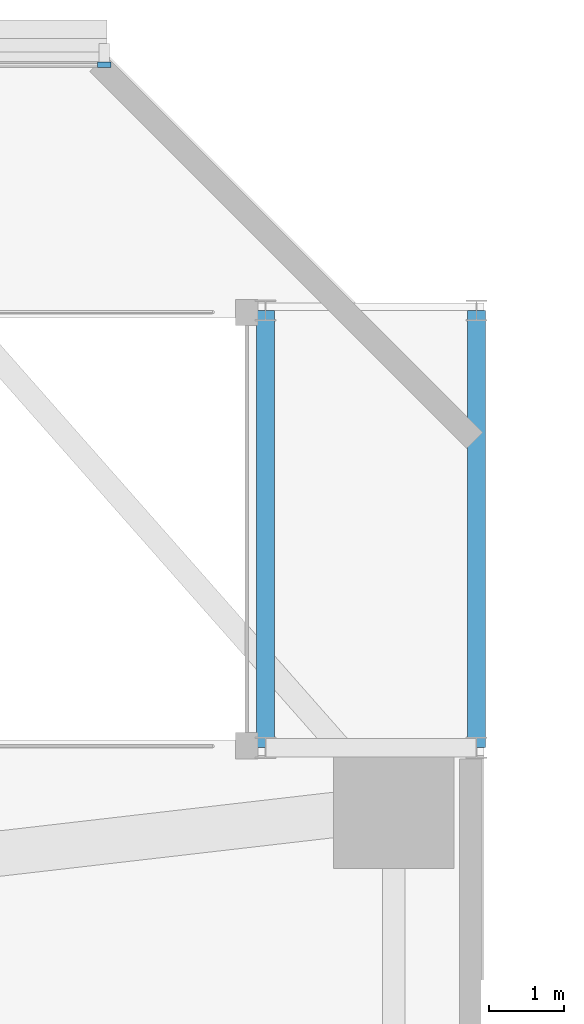
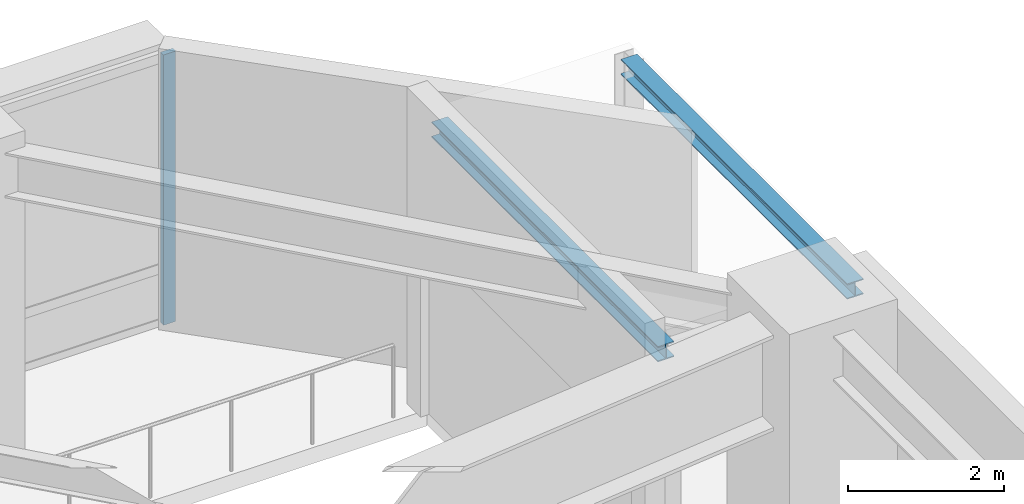
# One storey, part 14 of 30: 2 beams, 1 member, 1 element without a shape of its own.
"""IFC4 building model written with IfcOpenShell, lengths in metres."""

import ifcopenshell
import ifcopenshell.guid

model = None  # the IFC model being written
_history = None  # IfcOwnerHistory: only IFC2X3 demands one
_inside = {}  # id of a spatial element -> (the spatial element, [elements in it])
_under = {}  # id of a project, library or spatial element -> (it, [spatial elements below it])
_declared = {}  # id of a project -> (the project, [libraries it declares])
_typed = {}  # id of a type object -> (the type object, [elements of that type])
_made_of = {}  # id of a material, layer set ... -> (it, [elements and type objects made of it])


def new_model(schema):
    """Start an empty IFC model of exactly this schema.

    Asked for "IFC4X3", IfcOpenShell would pick the latest addendum, in which some entities
    have other attributes; the version numbers below select the first issue.
    IFC2X3 requires an IfcOwnerHistory on every rooted entity: one is made here for all.
    """
    global model, _history
    if schema == "IFC4X3":
        model = ifcopenshell.file(schema_version=(4, 3, 0, 0))
    else:
        model = ifcopenshell.file(schema=schema)
    _inside.clear()
    _under.clear()
    _declared.clear()
    _typed.clear()
    _made_of.clear()
    _history = None
    if model.schema == "IFC2X3":
        org = make("IfcOrganization", Name="unknown")
        user = make(
            "IfcPersonAndOrganization",
            ThePerson=make("IfcPerson", FamilyName="unknown"),
            TheOrganization=org,
        )
        app = make(
            "IfcApplication",
            ApplicationDeveloper=org,
            Version="unknown",
            ApplicationFullName="unknown",
            ApplicationIdentifier="unknown",
        )
        _history = make(
            "IfcOwnerHistory",
            OwningUser=user,
            OwningApplication=app,
            ChangeAction="ADDED",
            CreationDate=0,
        )
    return model


def make(cls, **values):
    """One entity of the class cls with the attributes given. An attribute that is None is left unset."""
    return model.create_entity(
        cls, **{name: value for name, value in values.items() if value is not None}
    )


def rooted(cls, **values):
    """An entity with a GlobalId (a new one), such as an element, a storey or a relation."""
    return make(cls, GlobalId=ifcopenshell.guid.new(), OwnerHistory=_history, **values)


def si_unit(unit_type, name, prefix=None):
    """IfcSIUnit, for example si_unit("LENGTHUNIT", "METRE", prefix="MILLI")."""
    return make("IfcSIUnit", UnitType=unit_type, Prefix=prefix, Name=name)


def assignment(units):
    """IfcUnitAssignment: the units of a project."""
    return None if units is None else make("IfcUnitAssignment", Units=units)


def point(xyz):
    """IfcCartesianPoint."""
    return None if xyz is None else make("IfcCartesianPoint", Coordinates=xyz)


def direction(xyz):
    """IfcDirection."""
    return None if xyz is None else make("IfcDirection", DirectionRatios=xyz)


def frame(location, z_axis=None, x_axis=None):
    """IfcAxis2Placement3D, a coordinate frame: its origin and axes. An axis left out is left unset."""
    return make(
        "IfcAxis2Placement3D",
        Location=point(location),
        Axis=direction(z_axis),
        RefDirection=direction(x_axis),
    )


def frame_2d(location, x_axis=None):
    """IfcAxis2Placement2D, a coordinate frame in the plane: its origin and x axis."""
    return make(
        "IfcAxis2Placement2D", Location=point(location), RefDirection=direction(x_axis)
    )


def origin():
    """The frame at (0, 0, 0) with its axes left unset."""
    return frame((0.0, 0.0, 0.0))


def origin_2d():
    """The frame at (0, 0) in the plane with its x axis left unset."""
    return frame_2d((0.0, 0.0))


def place(relative_to, where):
    """IfcLocalPlacement: puts the frame where relative to a parent placement (None: the world)."""
    return make(
        "IfcLocalPlacement", PlacementRelTo=relative_to, RelativePlacement=where
    )


def context(
    kind, dimensions, precision=None, world=None, true_north=None, identifier=None
):
    """IfcGeometricRepresentationContext, for example the 3D "Model" context."""
    return make(
        "IfcGeometricRepresentationContext",
        ContextIdentifier=identifier,
        ContextType=kind,
        CoordinateSpaceDimension=dimensions,
        Precision=precision,
        WorldCoordinateSystem=world,
        TrueNorth=true_north,
    )


def subcontext(parent, identifier, kind, view, scale=None):
    """IfcGeometricRepresentationSubContext, for example "Body" below "Model"."""
    return make(
        "IfcGeometricRepresentationSubContext",
        ContextIdentifier=identifier,
        ContextType=kind,
        ParentContext=parent,
        TargetScale=scale,
        TargetView=view,
    )


def project(units=None, contexts=None):
    """IfcProject with its units and contexts."""
    return rooted(
        "IfcProject",
        Name="project",
        RepresentationContexts=contexts,
        UnitsInContext=assignment(units),
    )


def spatial(cls, under=None, at=None, **own):
    """A site, building, storey or space (cls), placed at a placement, below another one or the project."""
    s = rooted(cls, ObjectPlacement=at, **own)
    if under is not None:
        _under.setdefault(under.id(), (under, []))[1].append(s)
    return s


def profile(cls, at=None, kind="AREA", **sizes):
    """A parametric profile (cls). Its sizes go by their IFC names, for example OverallWidth=200.0."""
    return make(cls, ProfileType=kind, Position=at, **sizes)


def rectangle(**sizes):
    """IfcRectangleProfileDef."""
    return profile("IfcRectangleProfileDef", **sizes)


def i_section(**sizes):
    """IfcIShapeProfileDef."""
    return profile("IfcIShapeProfileDef", **sizes)


def extrude(swept, where, along, depth):
    """IfcExtrudedAreaSolid: the profile swept, set in the frame where, extruded along a direction by depth."""
    return make(
        "IfcExtrudedAreaSolid",
        SweptArea=swept,
        Position=where,
        ExtrudedDirection=direction(along),
        Depth=depth,
    )


def shape(context_of_items, identifier, shape_type, items):
    """IfcShapeRepresentation: the items that make up one representation, for example the "Body"."""
    return make(
        "IfcShapeRepresentation",
        ContextOfItems=context_of_items,
        RepresentationIdentifier=identifier,
        RepresentationType=shape_type,
        Items=items,
    )


def material(Name=None, Category=None):
    """IfcMaterial."""
    return make("IfcMaterial", Name=Name, Category=Category)


def layer(
    of_material, thickness, ventilated=None, Name=None, Category=None, Priority=None
):
    """IfcMaterialLayer: one layer of a wall or slab, of a material (None: an air gap)."""
    return make(
        "IfcMaterialLayer",
        Material=of_material,
        LayerThickness=thickness,
        IsVentilated=ventilated,
        Name=Name,
        Category=Category,
        Priority=Priority,
    )


def layer_set(layers, Name=None):
    """IfcMaterialLayerSet."""
    return make("IfcMaterialLayerSet", MaterialLayers=layers, LayerSetName=Name)


def material_profile(
    of_material, cross_section, Name=None, Category=None, Priority=None
):
    """IfcMaterialProfile: a cross section and its material."""
    return make(
        "IfcMaterialProfile",
        Name=Name,
        Material=of_material,
        Profile=cross_section,
        Priority=Priority,
        Category=Category,
    )


def profile_set(profiles, Name=None, composite=None):
    """IfcMaterialProfileSet."""
    return make(
        "IfcMaterialProfileSet",
        Name=Name,
        MaterialProfiles=profiles,
        CompositeProfile=composite,
    )


def made_of(thing, what):
    """Note that an element or type object is made of a material, layer set ...; save() writes the relation."""
    if what is not None:
        _made_of.setdefault(what.id(), (what, []))[1].append(thing)
    return thing


def type_object(cls, material=None, **own):
    """A type object (cls), such as IfcWallType, which elements share."""
    return made_of(rooted(cls, **own), material)


def element(
    cls,
    number,
    at=None,
    inside=None,
    cuts=None,
    type_object=None,
    material=None,
    context=None,
    identifier="Body",
    shape_type=None,
    held_by="IfcProductDefinitionShape",
    body=None,
    shapes=None,
    **own,
):
    """One element of the class cls, such as IfcWall. Its Tag is "e" and its number.

    at: its placement. inside: the storey or other place that contains it. cuts: it is an
    opening in that element (IfcRelVoidsElement). A single representation is given by context,
    identifier, shape_type and body (its items); several are given by shapes. held_by: the class
    of the entity that holds the representations. save() writes the other relations.
    """
    e = rooted(cls, Tag="e%d" % number, ObjectPlacement=at, **own)
    if body is not None:
        shapes = [shape(context, identifier, shape_type, body)]
    if shapes is not None:
        e.Representation = make(held_by, Representations=shapes)
    if inside is not None:
        _inside.setdefault(inside.id(), (inside, []))[1].append(e)
    if cuts is not None:
        rooted(
            "IfcRelVoidsElement", RelatingBuildingElement=cuts, RelatedOpeningElement=e
        )
    if type_object is not None:
        _typed.setdefault(type_object.id(), (type_object, []))[1].append(e)
    return made_of(e, material)


def aggregate(whole, parts):
    """IfcRelAggregates: a whole, such as a stair, and the parts it consists of."""
    return rooted("IfcRelAggregates", RelatingObject=whole, RelatedObjects=parts)


def save(model, path):
    """Write the relations noted so far, then the file.

    IfcRelAggregates (storeys below a building ...), IfcRelContainedInSpatialStructure (elements
    in a storey), IfcRelDefinesByType, IfcRelAssociatesMaterial and IfcRelDeclares: one each for
    every whole, place, type object, material and project.
    """
    for whole, parts in _under.values():
        aggregate(whole, parts)
    for where, things in _inside.values():
        rooted(
            "IfcRelContainedInSpatialStructure",
            RelatedElements=things,
            RelatingStructure=where,
        )
    for kind, things in _typed.values():
        rooted("IfcRelDefinesByType", RelatedObjects=things, RelatingType=kind)
    for what, things in _made_of.values():
        rooted("IfcRelAssociatesMaterial", RelatedObjects=things, RelatingMaterial=what)
    for by, libraries in _declared.values():
        rooted("IfcRelDeclares", RelatingContext=by, RelatedDefinitions=libraries)
    model.write(path)


model = new_model("IFC4")

# Units and contexts
model_context = context("Model", 3, precision=1e-05, world=origin(), true_north=direction((0.0, 1.0)))
body_context = subcontext(model_context, "Body", "Model", "MODEL_VIEW")
ifc_project = project(units=[si_unit("LENGTHUNIT", "METRE"), si_unit("AREAUNIT", "SQUARE_METRE"), si_unit("VOLUMEUNIT", "CUBIC_METRE"), si_unit("PLANEANGLEUNIT", "RADIAN"), si_unit("MASSUNIT", "GRAM", prefix="KILO")], contexts=[model_context])

# Site, building, storey
site_placement = place(None, origin())
site = spatial("IfcSite", under=ifc_project, at=site_placement, CompositionType="ELEMENT")
building_placement = place(site_placement, origin())
building = spatial("IfcBuilding", under=site, at=building_placement, Name="Terralouvre Media Tower", CompositionType="ELEMENT")
storey_placement = place(building_placement, origin())
storey = spatial("IfcBuildingStorey", under=building, at=storey_placement, Name="L00", CompositionType="ELEMENT", Elevation=0.0)

# Curtain wall, member
ifc_material_1 = material(Name="Low-iron laminated double glazing with solar-control coating", Category="glass")
ifc_layer = layer(ifc_material_1, 0.1650390625, Name="Podium Broadcast Gallery Glazing CW-01")
ifc_layer_set = layer_set([ifc_layer], Name="Low-iron laminated double glazing with solar-control coating")
curtain_wall_type = type_object("IfcCurtainWallType", Name="Podium Broadcast Gallery Glazing CW-01", PredefinedType="NOTDEFINED", material=ifc_layer_set)
curtain_wall_placement = place(storey_placement, origin())
curtain_wall = element("IfcCurtainWall", 1, at=curtain_wall_placement, inside=storey, type_object=curtain_wall_type, Name="L00 Podium Curtain Wall F4", PredefinedType="NOTDEFINED")
ifc_material_2 = material(Name="Anodised extruded aluminium 6063-T6", Category="aluminium")
ifc_material_profile_1 = material_profile(ifc_material_2, rectangle(XDim=0.074951171875, YDim=0.179931640625, at=origin_2d()), Name="ALU 75x180")
ifc_profile_set_1 = profile_set([ifc_material_profile_1], Name="Anodised extruded aluminium 6063-T6")
member_type = type_object("IfcMemberType", Name="Curtain-Wall Vertical Mullion ML-180", PredefinedType="MULLION", material=ifc_profile_set_1)
member_placement = place(storey_placement, frame((31.96240234375, 33.360107421875, 0.0), z_axis=(0.0, 0.0, 1.0), x_axis=(0.0, -1.0, 0.0)))
member = element("IfcMember", 2, at=member_placement, type_object=member_type, Name="CW-01 mullion 1", PredefinedType="MULLION", context=body_context, shape_type="SweptSolid", body=[
    extrude(rectangle(XDim=0.074951171875, YDim=0.179931640625, at=origin_2d()), origin(), (0.0, 0.0, 1.0), 4.22998046875),
])
aggregate(curtain_wall, [member])

# Beams
ifc_material_3 = material(Name="Structural steel S355J2", Category="steel")
ifc_material_profile_2 = material_profile(ifc_material_3, i_section(OverallWidth=0.239990234375, OverallDepth=0.239990234375, WebThickness=0.010009765625, FlangeThickness=0.01708984375, at=origin_2d()), Name="HEB 240")
ifc_profile_set_2 = profile_set([ifc_material_profile_2], Name="Structural steel S355J2")
beam_type = type_object("IfcBeamType", Name="Opening Lintel Beam LN-240H (HEB 240)", PredefinedType="LINTEL", material=ifc_profile_set_2)
for number, where, z_axis, x_axis, name in (
    (3, (34.10009765625, 24.300048828125, 4.280029296875), (0.0, 1.0, 0.0), (-1.0, 0.0, 0.0), "L00 Canopy Framing Beam CANDK-2"),
    (4, (36.89990234375, 24.300048828125, 4.280029296875), (0.0, 1.0, 0.0), (-1.0, 0.0, 0.0), "L00 Canopy Framing Beam CANDK-3"),
):
    element("IfcBeam", number, at=place(storey_placement, frame(where, z_axis=z_axis, x_axis=x_axis)), inside=storey, type_object=beam_type, Name=name, PredefinedType="LINTEL", context=body_context, shape_type="SweptSolid", body=[
        extrude(i_section(OverallWidth=0.239990234375, OverallDepth=0.239990234375, WebThickness=0.010009765625, FlangeThickness=0.01708984375, at=origin_2d()), origin(), (0.0, 0.0, 1.0), 5.800048828125),
    ])

save(model, "model.ifc")
